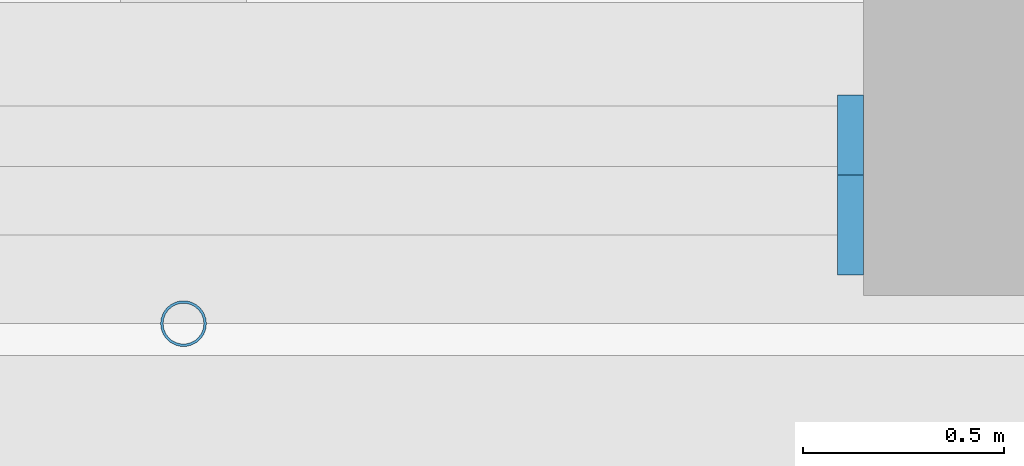
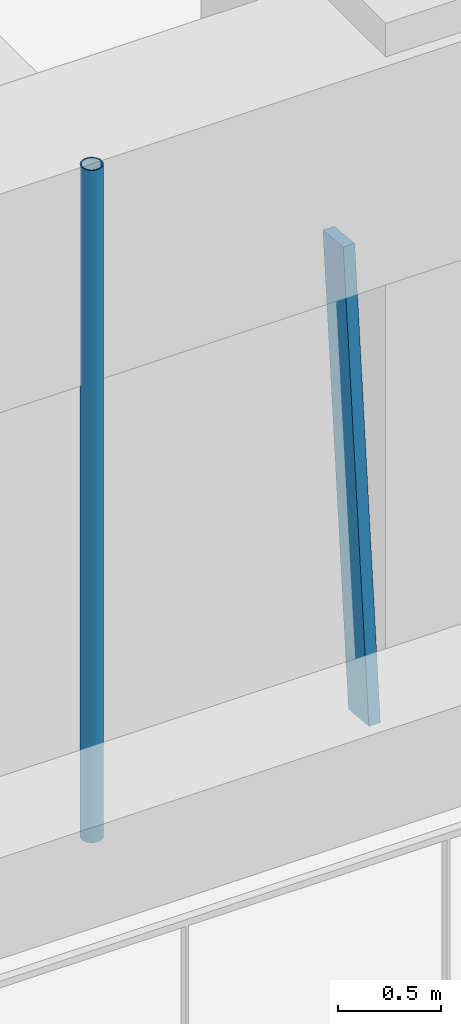
# One storey, part 4 of 23: 2 members, 1 element without a shape of its own.
"""IFC4 building model written with IfcOpenShell, lengths in metres."""

from ifc_helpers import new_model, si_unit, direction, frame, origin, origin_2d, place, context, subcontext, project, spatial, rectangle, hollow_circle, extrude, material, material_profile, profile_set, type_object, element, aggregate, save


model = new_model("IFC4")

# Units and contexts
model_context = context("Model", 3, precision=1e-05, world=origin(), true_north=direction((0.0, 1.0)))
body_context = subcontext(model_context, "Body", "Model", "MODEL_VIEW")
ifc_project = project(units=[si_unit("LENGTHUNIT", "METRE"), si_unit("AREAUNIT", "SQUARE_METRE"), si_unit("VOLUMEUNIT", "CUBIC_METRE"), si_unit("PLANEANGLEUNIT", "RADIAN"), si_unit("MASSUNIT", "GRAM", prefix="KILO")], contexts=[model_context])

# Site, building, storey
site_placement = place(None, origin())
site = spatial("IfcSite", under=ifc_project, at=site_placement, CompositionType="ELEMENT")
building_placement = place(site_placement, origin())
building = spatial("IfcBuilding", under=site, at=building_placement, Name="Tarfa Lantern Tower", CompositionType="ELEMENT")
storey_placement = place(building_placement, frame((0.0, 0.0, 57.10009765625)))
storey = spatial("IfcBuildingStorey", under=building, at=storey_placement, Name="L12", CompositionType="ELEMENT", Elevation=57.10009765625)

# Curtain wall, member
ifc_material_1 = material(Name="Aluminium framed curtain wall", Category="aluminium")
curtain_wall_type = type_object("IfcCurtainWallType", Name="CW1 CANTED GLAZING LOW ZONE 2700", PredefinedType="USERDEFINED", material=ifc_material_1)
curtain_wall_placement = place(storey_placement, origin())
curtain_wall = element("IfcCurtainWall", 1, at=curtain_wall_placement, inside=storey, type_object=curtain_wall_type, Name="CW1 S L12", ObjectType="CURTAIN WALL", PredefinedType="USERDEFINED")
ifc_material_2 = material(Name="Aluminium mullion", Category="aluminium")
ifc_material_profile_1 = material_profile(ifc_material_2, rectangle(XDim=0.06494140625, YDim=0.199951171875, at=origin_2d()), Name="AL MULLION 65x200")
ifc_profile_set_1 = profile_set([ifc_material_profile_1], Name="Aluminium mullion")
member_type_1 = type_object("IfcMemberType", Name="CWM1 MULLION 65x200", PredefinedType="MULLION", material=ifc_profile_set_1)
member_1_placement = place(storey_placement, frame((9.74462890625, -33.89990234375, 0.0), z_axis=(0.0, 0.092199863775, 0.995740520979), x_axis=(-1.0, 0.0, 0.0)))
member_1 = element("IfcMember", 2, at=member_1_placement, type_object=member_type_1, Name="CW1 mullion 2", PredefinedType="MULLION", context=body_context, shape_type="SweptSolid", body=[
    extrude(rectangle(XDim=0.06494140625, YDim=0.199951171875, at=origin_2d()), origin(), (0.0, 0.0, 1.0), 2.71142578125),
])
aggregate(curtain_wall, [member_1])

# Member
ifc_material_3 = material(Name="Steel S355", Category="steel")
ifc_material_profile_2 = material_profile(ifc_material_3, hollow_circle(Radius=0.05712890625, WallThickness=0.00634765625, at=origin_2d()), Name="CHS114.3x6.3")
ifc_profile_set_2 = profile_set([ifc_material_profile_2], Name="Steel S355")
member_type_2 = type_object("IfcMemberType", Name="TR1 GREEN WALL TRELLIS CHS114.3x6.3", PredefinedType="USERDEFINED", material=ifc_profile_set_2)
member_2_placement = place(storey_placement, frame((8.0830078125, -34.1201171875, 0.0), z_axis=(0.0, 0.0, 1.0), x_axis=(1.0, 0.0, 0.0)))
element("IfcMember", 3, at=member_2_placement, inside=storey, type_object=member_type_2, Name="Trellis post S 2", ObjectType="TRELLIS", PredefinedType="USERDEFINED", context=body_context, shape_type="SweptSolid", body=[
    extrude(hollow_circle(Radius=0.05712890625, WallThickness=0.00634765625, at=origin_2d()), origin(), (0.0, 0.0, 1.0), 4.0),
])

save(model, "model.ifc")
